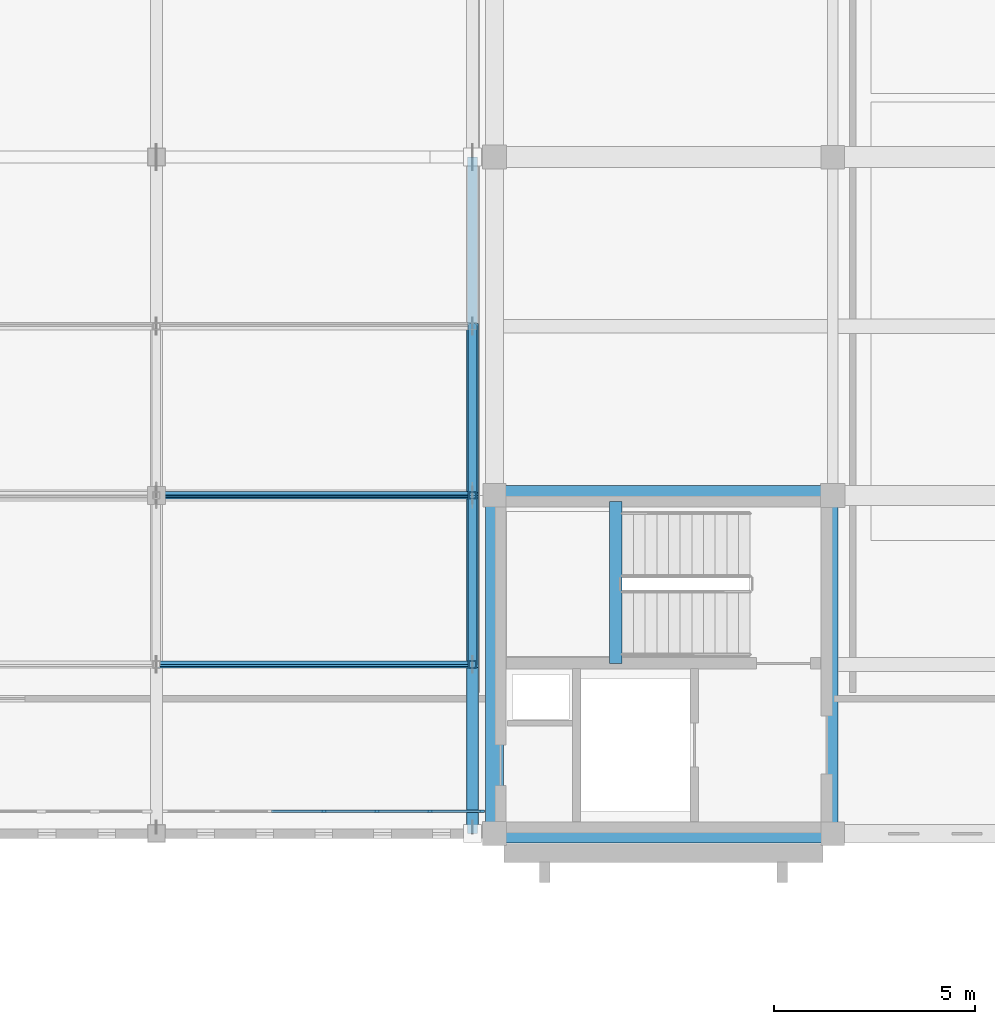
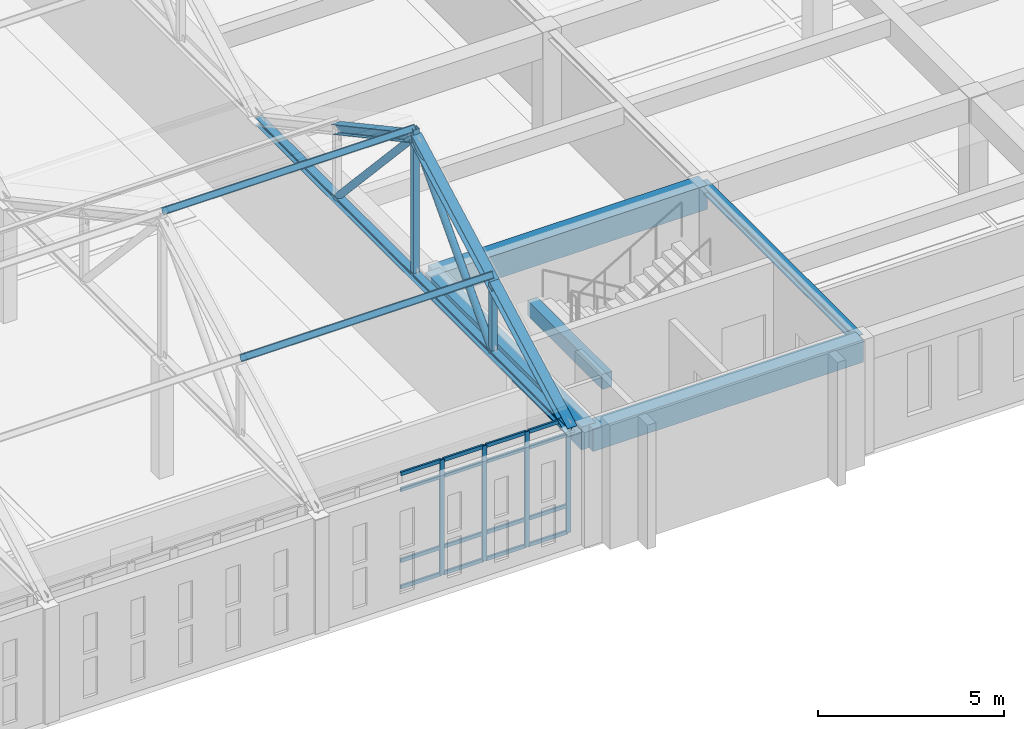
# One storey, part 34 of 110: 30 members, 5 beams, 1 element without a shape of its own.
"""IFC4 building model written with IfcOpenShell, lengths in metres."""

from ifc_helpers import new_model, si_unit, direction, frame, origin, origin_2d, place, context, subcontext, project, spatial, rectangle, hollow_rectangle, hollow_circle, i_section, extrude, material, layer, layer_set, material_profile, profile_set, type_object, element, aggregate, save


model = new_model("IFC4")

# Units and contexts
model_context = context("Model", 3, precision=1e-05, world=origin(), true_north=direction((0.0, 1.0)))
body_context = subcontext(model_context, "Body", "Model", "MODEL_VIEW")
ifc_project = project(units=[si_unit("LENGTHUNIT", "METRE"), si_unit("AREAUNIT", "SQUARE_METRE"), si_unit("VOLUMEUNIT", "CUBIC_METRE"), si_unit("PLANEANGLEUNIT", "RADIAN"), si_unit("MASSUNIT", "GRAM", prefix="KILO")], contexts=[model_context])

# Site, building, storey
site_placement = place(None, origin())
site = spatial("IfcSite", under=ifc_project, at=site_placement, CompositionType="ELEMENT")
building_placement = place(site_placement, origin())
building = spatial("IfcBuilding", under=site, at=building_placement, Name="Kveldsbrygga Polytechnic", CompositionType="ELEMENT")
storey_placement = place(building_placement, frame((0.0, 0.0, 9.860107421875)))
storey = spatial("IfcBuildingStorey", under=building, at=storey_placement, Name="L02", CompositionType="ELEMENT", Elevation=9.860107421875)

# Beams
ifc_material_1 = material(Name="Concrete C35/45", Category="concrete")
ifc_material_profile_1 = material_profile(ifc_material_1, rectangle(XDim=0.449951171875, YDim=0.75, at=origin_2d()), Name="RC 450x750")
ifc_profile_set_1 = profile_set([ifc_material_profile_1], Name="Concrete C35/45")
beam_type_1 = type_object("IfcBeamType", Name="BM-RC-450x750", PredefinedType="BEAM", material=ifc_profile_set_1)
beam_1_placement = place(storey_placement, frame((100.800048828125, 84.0, 3.375), z_axis=(0.0, 1.0, 0.0), x_axis=(-1.0, 0.0, 0.0)))
element("IfcBeam", 1, at=beam_1_placement, inside=storey, type_object=beam_type_1, Name="Primary Beam BMY-L02-12-10to11", PredefinedType="BEAM", context=body_context, shape_type="SweptSolid", body=[
    extrude(rectangle(XDim=0.449951171875, YDim=0.75, at=origin_2d()), origin(), (0.0, 0.0, 1.0), 8.39990234375),
])
ifc_material_profile_2 = material_profile(ifc_material_1, rectangle(XDim=0.4599609375, YDim=0.739990234375, at=origin_2d()), Name="RC 460x740")
ifc_profile_set_2 = profile_set([ifc_material_profile_2], Name="Concrete C35/45")
beam_type_2 = type_object("IfcBeamType", Name="BM-RC-460x740", PredefinedType="BEAM", material=ifc_profile_set_2)
beam_2_placement = place(storey_placement, frame((100.800048828125, 84.0, 3.3798828125), z_axis=(1.0, 0.0, 0.0), x_axis=(0.0, 1.0, 0.0)))
element("IfcBeam", 2, at=beam_2_placement, inside=storey, type_object=beam_type_2, Name="Primary Beam BMX-L02-12to13-10", PredefinedType="BEAM", context=body_context, shape_type="SweptSolid", body=[
    extrude(rectangle(XDim=0.4599609375, YDim=0.739990234375, at=origin_2d()), origin(), (0.0, 0.0, 1.0), 8.39990234375),
])
ifc_material_profile_3 = material_profile(ifc_material_1, rectangle(XDim=0.5, YDim=0.800048828125, at=origin_2d()), Name="RC 500x800")
ifc_profile_set_3 = profile_set([ifc_material_profile_3], Name="Concrete C35/45")
beam_type_3 = type_object("IfcBeamType", Name="BM-RC-500x800", PredefinedType="BEAM", material=ifc_profile_set_3)
beam_3_placement = place(storey_placement, frame((100.800048828125, 92.39990234375, 3.349853515625), z_axis=(1.0, 0.0, 0.0), x_axis=(0.0, 1.0, 0.0)))
element("IfcBeam", 3, at=beam_3_placement, inside=storey, type_object=beam_type_3, Name="Primary Beam BMX-L02-12to13-11", PredefinedType="BEAM", context=body_context, shape_type="SweptSolid", body=[
    extrude(rectangle(XDim=0.5, YDim=0.800048828125, at=origin_2d()), origin(), (0.0, 0.0, 1.0), 8.39990234375),
])
ifc_material_2 = material(Name="Steel S355", Category="steel")
ifc_material_profile_4 = material_profile(ifc_material_2, i_section(OverallWidth=0.260009765625, OverallDepth=0.260009765625, WebThickness=0.010009765625, FlangeThickness=0.017578125, FilletRadius=0.02392578125, at=origin_2d()), Name="HEB 260")
ifc_profile_set_4 = profile_set([ifc_material_profile_4], Name="Steel S355")
beam_type_4 = type_object("IfcBeamType", Name="BM-STL-HEB260", PredefinedType="BEAM", material=ifc_profile_set_4)
beam_4_placement = place(storey_placement, frame((109.199951171875, 84.0, 3.619873046875), z_axis=(0.0, 1.0, 0.0), x_axis=(-1.0, 0.0, 0.0)))
element("IfcBeam", 4, at=beam_4_placement, inside=storey, type_object=beam_type_4, Name="Primary Beam BMY-L02-13-10to11", PredefinedType="BEAM", context=body_context, shape_type="SweptSolid", body=[
    extrude(i_section(OverallWidth=0.260009765625, OverallDepth=0.260009765625, WebThickness=0.010009765625, FlangeThickness=0.017578125, FilletRadius=0.02392578125, at=origin_2d()), origin(), (0.0, 0.0, 1.0), 8.39990234375),
])

# Curtain wall, members
ifc_material_3 = material(Name="Anodised aluminium AW-6060", Category="aluminium")
ifc_layer = layer(ifc_material_3, 0.179931640625)
ifc_layer_set = layer_set([ifc_layer], Name="Anodised aluminium AW-6060")
curtain_wall_type = type_object("IfcCurtainWallType", Name="CW-CONC-A", PredefinedType="USERDEFINED", material=ifc_layer_set)
curtain_wall_placement = place(storey_placement, origin())
curtain_wall = element("IfcCurtainWall", 5, at=curtain_wall_placement, inside=storey, type_object=curtain_wall_type, Name="Curtain Wall CW-L02-X-11-10", ObjectType="UNITISED CURTAIN WALL", PredefinedType="USERDEFINED")
ifc_material_profile_5 = material_profile(ifc_material_3, rectangle(XDim=0.06005859375, YDim=0.139892578125, at=origin_2d()), Name="ALU 60x140")
ifc_profile_set_5 = profile_set([ifc_material_profile_5], Name="Anodised aluminium AW-6060")
member_type_1 = type_object("IfcMemberType", Name="CW-MUL-140", PredefinedType="MULLION", material=ifc_profile_set_5)
member_1_placement = place(storey_placement, frame((96.554931640625, 84.550048828125, 0.0), z_axis=(0.0, 0.0, 1.0), x_axis=(0.0, 1.0, 0.0)))
member_1 = element("IfcMember", 6, at=member_1_placement, type_object=member_type_1, Name="CW-01 mullion 4", PredefinedType="MULLION", context=body_context, shape_type="SweptSolid", body=[
    extrude(rectangle(XDim=0.06005859375, YDim=0.139892578125, at=origin_2d()), origin(), (0.0, 0.0, 1.0), 3.77978515625),
])
member_2_placement = place(storey_placement, frame((97.875, 84.550048828125, 0.0), z_axis=(0.0, 0.0, 1.0), x_axis=(0.0, 1.0, 0.0)))
member_2 = element("IfcMember", 7, at=member_2_placement, type_object=member_type_1, Name="CW-01 mullion 5", PredefinedType="MULLION", context=body_context, shape_type="SweptSolid", body=[
    extrude(rectangle(XDim=0.06005859375, YDim=0.139892578125, at=origin_2d()), origin(), (0.0, 0.0, 1.0), 3.77978515625),
])
member_3_placement = place(storey_placement, frame((99.195068359375, 84.550048828125, 0.0), z_axis=(0.0, 0.0, 1.0), x_axis=(0.0, 1.0, 0.0)))
member_3 = element("IfcMember", 8, at=member_3_placement, type_object=member_type_1, Name="CW-01 mullion 6", PredefinedType="MULLION", context=body_context, shape_type="SweptSolid", body=[
    extrude(rectangle(XDim=0.06005859375, YDim=0.139892578125, at=origin_2d()), origin(), (0.0, 0.0, 1.0), 3.77978515625),
])
member_4_placement = place(storey_placement, frame((100.485107421875, 84.550048828125, 0.0), z_axis=(0.0, 0.0, 1.0), x_axis=(0.0, 1.0, 0.0)))
member_4 = element("IfcMember", 9, at=member_4_placement, type_object=member_type_1, Name="CW-01 mullion 7", PredefinedType="MULLION", context=body_context, shape_type="SweptSolid", body=[
    extrude(rectangle(XDim=0.06005859375, YDim=0.139892578125, at=origin_2d()), origin(), (0.0, 0.0, 1.0), 3.77978515625),
])
ifc_material_profile_6 = material_profile(ifc_material_3, rectangle(XDim=0.06005859375, YDim=0.1201171875, at=origin_2d()), Name="ALU 60x120")
ifc_profile_set_6 = profile_set([ifc_material_profile_6], Name="Anodised aluminium AW-6060")
member_type_2 = type_object("IfcMemberType", Name="CW-TRN-120", PredefinedType="USERDEFINED", material=ifc_profile_set_6)
member_5_placement = place(storey_placement, frame((95.264892578125, 84.550048828125, 0.02978515625), z_axis=(1.0, 0.0, 0.0), x_axis=(0.0, 1.0, 0.0)))
member_5 = element("IfcMember", 10, at=member_5_placement, type_object=member_type_2, Name="CW-01 transom 3.1", ObjectType="TRANSOM", PredefinedType="USERDEFINED", context=body_context, shape_type="SweptSolid", body=[
    extrude(rectangle(XDim=0.06005859375, YDim=0.1201171875, at=origin_2d()), origin(), (0.0, 0.0, 1.0), 1.260009765625),
])
member_6_placement = place(storey_placement, frame((95.264892578125, 84.550048828125, 0.89990234375), z_axis=(1.0, 0.0, 0.0), x_axis=(0.0, 1.0, 0.0)))
member_6 = element("IfcMember", 11, at=member_6_placement, type_object=member_type_2, Name="CW-01 transom 3.2", ObjectType="TRANSOM", PredefinedType="USERDEFINED", context=body_context, shape_type="SweptSolid", body=[
    extrude(rectangle(XDim=0.06005859375, YDim=0.1201171875, at=origin_2d()), origin(), (0.0, 0.0, 1.0), 1.260009765625),
])
member_7_placement = place(storey_placement, frame((95.264892578125, 84.550048828125, 3.22998046875), z_axis=(1.0, 0.0, 0.0), x_axis=(0.0, 1.0, 0.0)))
member_7 = element("IfcMember", 12, at=member_7_placement, type_object=member_type_2, Name="CW-01 transom 3.3", ObjectType="TRANSOM", PredefinedType="USERDEFINED", context=body_context, shape_type="SweptSolid", body=[
    extrude(rectangle(XDim=0.06005859375, YDim=0.1201171875, at=origin_2d()), origin(), (0.0, 0.0, 1.0), 1.260009765625),
])
member_8_placement = place(storey_placement, frame((95.264892578125, 84.550048828125, 3.75), z_axis=(1.0, 0.0, 0.0), x_axis=(0.0, 1.0, 0.0)))
member_8 = element("IfcMember", 13, at=member_8_placement, type_object=member_type_2, Name="CW-01 transom 3.4", ObjectType="TRANSOM", PredefinedType="USERDEFINED", context=body_context, shape_type="SweptSolid", body=[
    extrude(rectangle(XDim=0.06005859375, YDim=0.1201171875, at=origin_2d()), origin(), (0.0, 0.0, 1.0), 1.260009765625),
])
member_9_placement = place(storey_placement, frame((96.5849609375, 84.550048828125, 0.02978515625), z_axis=(1.0, 0.0, 0.0), x_axis=(0.0, 1.0, 0.0)))
member_9 = element("IfcMember", 14, at=member_9_placement, type_object=member_type_2, Name="CW-01 transom 4.1", ObjectType="TRANSOM", PredefinedType="USERDEFINED", context=body_context, shape_type="SweptSolid", body=[
    extrude(rectangle(XDim=0.06005859375, YDim=0.1201171875, at=origin_2d()), origin(), (0.0, 0.0, 1.0), 1.260009765625),
])
member_10_placement = place(storey_placement, frame((96.5849609375, 84.550048828125, 0.89990234375), z_axis=(1.0, 0.0, 0.0), x_axis=(0.0, 1.0, 0.0)))
member_10 = element("IfcMember", 15, at=member_10_placement, type_object=member_type_2, Name="CW-01 transom 4.2", ObjectType="TRANSOM", PredefinedType="USERDEFINED", context=body_context, shape_type="SweptSolid", body=[
    extrude(rectangle(XDim=0.06005859375, YDim=0.1201171875, at=origin_2d()), origin(), (0.0, 0.0, 1.0), 1.260009765625),
])
member_11_placement = place(storey_placement, frame((96.5849609375, 84.550048828125, 3.22998046875), z_axis=(1.0, 0.0, 0.0), x_axis=(0.0, 1.0, 0.0)))
member_11 = element("IfcMember", 16, at=member_11_placement, type_object=member_type_2, Name="CW-01 transom 4.3", ObjectType="TRANSOM", PredefinedType="USERDEFINED", context=body_context, shape_type="SweptSolid", body=[
    extrude(rectangle(XDim=0.06005859375, YDim=0.1201171875, at=origin_2d()), origin(), (0.0, 0.0, 1.0), 1.260009765625),
])
member_12_placement = place(storey_placement, frame((96.5849609375, 84.550048828125, 3.75), z_axis=(1.0, 0.0, 0.0), x_axis=(0.0, 1.0, 0.0)))
member_12 = element("IfcMember", 17, at=member_12_placement, type_object=member_type_2, Name="CW-01 transom 4.4", ObjectType="TRANSOM", PredefinedType="USERDEFINED", context=body_context, shape_type="SweptSolid", body=[
    extrude(rectangle(XDim=0.06005859375, YDim=0.1201171875, at=origin_2d()), origin(), (0.0, 0.0, 1.0), 1.260009765625),
])
member_13_placement = place(storey_placement, frame((97.905029296875, 84.550048828125, 0.02978515625), z_axis=(1.0, 0.0, 0.0), x_axis=(0.0, 1.0, 0.0)))
member_13 = element("IfcMember", 18, at=member_13_placement, type_object=member_type_2, Name="CW-01 transom 5.1", ObjectType="TRANSOM", PredefinedType="USERDEFINED", context=body_context, shape_type="SweptSolid", body=[
    extrude(rectangle(XDim=0.06005859375, YDim=0.1201171875, at=origin_2d()), origin(), (0.0, 0.0, 1.0), 1.260009765625),
])
member_14_placement = place(storey_placement, frame((97.905029296875, 84.550048828125, 0.89990234375), z_axis=(1.0, 0.0, 0.0), x_axis=(0.0, 1.0, 0.0)))
member_14 = element("IfcMember", 19, at=member_14_placement, type_object=member_type_2, Name="CW-01 transom 5.2", ObjectType="TRANSOM", PredefinedType="USERDEFINED", context=body_context, shape_type="SweptSolid", body=[
    extrude(rectangle(XDim=0.06005859375, YDim=0.1201171875, at=origin_2d()), origin(), (0.0, 0.0, 1.0), 1.260009765625),
])
member_15_placement = place(storey_placement, frame((97.905029296875, 84.550048828125, 3.22998046875), z_axis=(1.0, 0.0, 0.0), x_axis=(0.0, 1.0, 0.0)))
member_15 = element("IfcMember", 20, at=member_15_placement, type_object=member_type_2, Name="CW-01 transom 5.3", ObjectType="TRANSOM", PredefinedType="USERDEFINED", context=body_context, shape_type="SweptSolid", body=[
    extrude(rectangle(XDim=0.06005859375, YDim=0.1201171875, at=origin_2d()), origin(), (0.0, 0.0, 1.0), 1.260009765625),
])
member_16_placement = place(storey_placement, frame((97.905029296875, 84.550048828125, 3.75), z_axis=(1.0, 0.0, 0.0), x_axis=(0.0, 1.0, 0.0)))
member_16 = element("IfcMember", 21, at=member_16_placement, type_object=member_type_2, Name="CW-01 transom 5.4", ObjectType="TRANSOM", PredefinedType="USERDEFINED", context=body_context, shape_type="SweptSolid", body=[
    extrude(rectangle(XDim=0.06005859375, YDim=0.1201171875, at=origin_2d()), origin(), (0.0, 0.0, 1.0), 1.260009765625),
])
member_17_placement = place(storey_placement, frame((99.22509765625, 84.550048828125, 0.02978515625), z_axis=(1.0, 0.0, 0.0), x_axis=(0.0, 1.0, 0.0)))
member_17 = element("IfcMember", 22, at=member_17_placement, type_object=member_type_2, Name="CW-01 transom 6.1", ObjectType="TRANSOM", PredefinedType="USERDEFINED", context=body_context, shape_type="SweptSolid", body=[
    extrude(rectangle(XDim=0.06005859375, YDim=0.1201171875, at=origin_2d()), origin(), (0.0, 0.0, 1.0), 1.22998046875),
])
member_18_placement = place(storey_placement, frame((99.22509765625, 84.550048828125, 0.89990234375), z_axis=(1.0, 0.0, 0.0), x_axis=(0.0, 1.0, 0.0)))
member_18 = element("IfcMember", 23, at=member_18_placement, type_object=member_type_2, Name="CW-01 transom 6.2", ObjectType="TRANSOM", PredefinedType="USERDEFINED", context=body_context, shape_type="SweptSolid", body=[
    extrude(rectangle(XDim=0.06005859375, YDim=0.1201171875, at=origin_2d()), origin(), (0.0, 0.0, 1.0), 1.22998046875),
])
member_19_placement = place(storey_placement, frame((99.22509765625, 84.550048828125, 3.22998046875), z_axis=(1.0, 0.0, 0.0), x_axis=(0.0, 1.0, 0.0)))
member_19 = element("IfcMember", 24, at=member_19_placement, type_object=member_type_2, Name="CW-01 transom 6.3", ObjectType="TRANSOM", PredefinedType="USERDEFINED", context=body_context, shape_type="SweptSolid", body=[
    extrude(rectangle(XDim=0.06005859375, YDim=0.1201171875, at=origin_2d()), origin(), (0.0, 0.0, 1.0), 1.22998046875),
])
member_20_placement = place(storey_placement, frame((99.22509765625, 84.550048828125, 3.75), z_axis=(1.0, 0.0, 0.0), x_axis=(0.0, 1.0, 0.0)))
member_20 = element("IfcMember", 25, at=member_20_placement, type_object=member_type_2, Name="CW-01 transom 6.4", ObjectType="TRANSOM", PredefinedType="USERDEFINED", context=body_context, shape_type="SweptSolid", body=[
    extrude(rectangle(XDim=0.06005859375, YDim=0.1201171875, at=origin_2d()), origin(), (0.0, 0.0, 1.0), 1.22998046875),
])
aggregate(curtain_wall, [member_1, member_2, member_3, member_4, member_5, member_6, member_7, member_8, member_9, member_10, member_11, member_12, member_13, member_14, member_15, member_16, member_17, member_18, member_19, member_20])

# Beam
ifc_material_profile_7 = material_profile(ifc_material_1, rectangle(XDim=0.300048828125, YDim=0.5, at=origin_2d()), Name="RC 300x500")
ifc_profile_set_7 = profile_set([ifc_material_profile_7], Name="Concrete C35/45")
beam_type_5 = type_object("IfcBeamType", Name="LNT-RC-300x500", PredefinedType="LINTEL", material=ifc_profile_set_7)
beam_5_placement = place(storey_placement, frame((103.81005859375, 88.22998046875, 1.58984375), z_axis=(0.0, 1.0, 0.0), x_axis=(-1.0, 0.0, 0.0)))
element("IfcBeam", 26, at=beam_5_placement, inside=storey, type_object=beam_type_5, Name="Stair Landing Support Beam C5-L02-LNDB-1-1", PredefinedType="LINTEL", context=body_context, shape_type="SweptSolid", body=[
    extrude(rectangle(XDim=0.300048828125, YDim=0.5, at=origin_2d()), origin(), (0.0, 0.0, 1.0), 4.02001953125),
])

# Members
ifc_material_profile_8 = material_profile(ifc_material_2, i_section(OverallWidth=0.10009765625, OverallDepth=0.199951171875, WebThickness=0.005615234375, FlangeThickness=0.008544921875, FilletRadius=0.011962890625, at=origin_2d()), Name="IPE 200")
ifc_profile_set_8 = profile_set([ifc_material_profile_8], Name="Steel S355")
member_type_3 = type_object("IfcMemberType", Name="PRL-IPE200", PredefinedType="PURLIN", material=ifc_profile_set_8)
for number, where, z_axis, x_axis, name in (
    (27, (92.39990234375, 88.199951171875, 6.33349609375), (1.0, 0.0, 0.0), (0.0, 0.879292204483, -0.476282709256), "Roof Purlin V2L1-PRL-7-1"),
    (28, (92.39990234375, 92.39990234375, 8.608642578125), (1.0, 0.0, 0.0), (0.0, 0.879292204483, -0.476282709256), "Roof Purlin V2L1-PRL-7-2"),
):
    element("IfcMember", number, at=place(storey_placement, frame(where, z_axis=z_axis, x_axis=x_axis)), inside=storey, type_object=member_type_3, Name=name, PredefinedType="PURLIN", context=body_context, shape_type="SweptSolid", body=[
        extrude(i_section(OverallWidth=0.10009765625, OverallDepth=0.199951171875, WebThickness=0.005615234375, FlangeThickness=0.008544921875, FilletRadius=0.011962890625, at=origin_2d()), origin(), (0.0, 0.0, 1.0), 7.85009765625),
    ])
ifc_material_profile_9 = material_profile(ifc_material_2, i_section(OverallWidth=0.239990234375, OverallDepth=0.22998046875, WebThickness=0.007568359375, FlangeThickness=0.011962890625, FilletRadius=0.02099609375, at=origin_2d()), Name="HEA 240")
ifc_profile_set_9 = profile_set([ifc_material_profile_9], Name="Steel S355")
member_type_4 = type_object("IfcMemberType", Name="TR-BOT-HEA240", PredefinedType="CHORD", material=ifc_profile_set_9)
member_21_placement = place(storey_placement, frame((100.25, 84.0, 3.77978515625), z_axis=(0.0, 1.0, 0.0), x_axis=(-1.0, 0.0, 0.0)))
element("IfcMember", 29, at=member_21_placement, inside=storey, type_object=member_type_4, Name="Truss Bottom Chord V2L1-T08-BC-1", PredefinedType="CHORD", context=body_context, shape_type="SweptSolid", body=[
    extrude(i_section(OverallWidth=0.239990234375, OverallDepth=0.22998046875, WebThickness=0.007568359375, FlangeThickness=0.011962890625, FilletRadius=0.02099609375, at=origin_2d()), origin(), (0.0, 0.0, 1.0), 16.800048828125),
])
ifc_material_profile_10 = material_profile(ifc_material_2, hollow_circle(Radius=0.109619140625, WallThickness=0.012451171875, at=origin_2d()), Name="CHS 219.1x12.5")
ifc_profile_set_10 = profile_set([ifc_material_profile_10], Name="Steel S355")
member_type_5 = type_object("IfcMemberType", Name="TR-DIAG-CHS219", PredefinedType="BRACE", material=ifc_profile_set_10)
member_22_placement = place(storey_placement, frame((100.25, 88.199951171875, 3.77978515625), z_axis=(0.0, 0.678271914864, 0.734811002576), x_axis=(-1.0, 0.0, 0.0)))
element("IfcMember", 30, at=member_22_placement, inside=storey, type_object=member_type_5, Name="Truss Diagonal V2L1-T08-DG-2", PredefinedType="BRACE", context=body_context, shape_type="SweptSolid", body=[
    extrude(hollow_circle(Radius=0.109619140625, WallThickness=0.012451171875, at=origin_2d()), origin(), (0.0, 0.0, 1.0), 6.192138671875),
])
member_23_placement = place(storey_placement, frame((100.25, 92.39990234375, 8.329833984375), z_axis=(0.0, 0.678293202798, -0.734791352043), x_axis=(-1.0, 0.0, 0.0)))
element("IfcMember", 31, at=member_23_placement, inside=storey, type_object=member_type_5, Name="Truss Diagonal V2L1-T08-DG-3", PredefinedType="BRACE", context=body_context, shape_type="SweptSolid", body=[
    extrude(hollow_circle(Radius=0.109619140625, WallThickness=0.012451171875, at=origin_2d()), origin(), (0.0, 0.0, 1.0), 6.1923828125),
])
ifc_material_profile_11 = material_profile(ifc_material_2, hollow_rectangle(XDim=0.179931640625, YDim=0.179931640625, WallThickness=0.010009765625, at=origin_2d()), Name="SHS 180x180x10.0")
ifc_profile_set_11 = profile_set([ifc_material_profile_11], Name="Steel S355")
member_type_6 = type_object("IfcMemberType", Name="TR-POST-SHS180", PredefinedType="STRUT", material=ifc_profile_set_11)
member_24_placement = place(storey_placement, frame((100.25, 88.199951171875, 3.77978515625), z_axis=(0.0, 0.0, 1.0), x_axis=(1.0, 0.0, 0.0)))
element("IfcMember", 32, at=member_24_placement, inside=storey, type_object=member_type_6, Name="Truss Vertical V2L1-T08-VT-1", PredefinedType="STRUT", context=body_context, shape_type="SweptSolid", body=[
    extrude(hollow_rectangle(XDim=0.179931640625, YDim=0.179931640625, WallThickness=0.010009765625, at=origin_2d()), origin(), (0.0, 0.0, 1.0), 2.275146484375),
])
member_25_placement = place(storey_placement, frame((100.25, 92.39990234375, 3.77978515625), z_axis=(0.0, 0.0, 1.0), x_axis=(1.0, 0.0, 0.0)))
element("IfcMember", 33, at=member_25_placement, inside=storey, type_object=member_type_6, Name="Truss Vertical V2L1-T08-VT-2", PredefinedType="STRUT", context=body_context, shape_type="SweptSolid", body=[
    extrude(hollow_rectangle(XDim=0.179931640625, YDim=0.179931640625, WallThickness=0.010009765625, at=origin_2d()), origin(), (0.0, 0.0, 1.0), 4.828857421875),
])
ifc_material_profile_12 = material_profile(ifc_material_2, i_section(OverallWidth=0.300048828125, OverallDepth=0.2900390625, WebThickness=0.008544921875, FlangeThickness=0.013916015625, FilletRadius=0.027099609375, at=origin_2d()), Name="HEA 300")
ifc_profile_set_12 = profile_set([ifc_material_profile_12], Name="Steel S355")
member_type_7 = type_object("IfcMemberType", Name="TR-TOP-HEA300", PredefinedType="CHORD", material=ifc_profile_set_12)
member_26_placement = place(storey_placement, frame((100.25, 84.0, 3.77978515625), z_axis=(0.0, 0.879276804059, 0.476311139744), x_axis=(-1.0, 0.0, 0.0)))
element("IfcMember", 34, at=member_26_placement, inside=storey, type_object=member_type_7, Name="Truss Top Chord V2L1-T08-TC-1", PredefinedType="CHORD", context=body_context, shape_type="SweptSolid", body=[
    extrude(i_section(OverallWidth=0.300048828125, OverallDepth=0.2900390625, WebThickness=0.008544921875, FlangeThickness=0.013916015625, FilletRadius=0.027099609375, at=origin_2d()), origin(), (0.0, 0.0, 1.0), 4.776611328125),
])
member_27_placement = place(storey_placement, frame((100.25, 88.199951171875, 6.054931640625), z_axis=(0.0, 0.879298209803, 0.47627162233), x_axis=(-1.0, 0.0, 0.0)))
element("IfcMember", 35, at=member_27_placement, inside=storey, type_object=member_type_7, Name="Truss Top Chord V2L1-T08-TC-2", PredefinedType="CHORD", context=body_context, shape_type="SweptSolid", body=[
    extrude(i_section(OverallWidth=0.300048828125, OverallDepth=0.2900390625, WebThickness=0.008544921875, FlangeThickness=0.013916015625, FilletRadius=0.027099609375, at=origin_2d()), origin(), (0.0, 0.0, 1.0), 4.7763671875),
])
member_28_placement = place(storey_placement, frame((100.25, 92.39990234375, 8.329833984375), z_axis=(0.0, 0.879309803238, -0.476250217773), x_axis=(-1.0, 0.0, 0.0)))
element("IfcMember", 36, at=member_28_placement, inside=storey, type_object=member_type_7, Name="Truss Top Chord V2L1-T08-TC-3", PredefinedType="CHORD", context=body_context, shape_type="SweptSolid", body=[
    extrude(i_section(OverallWidth=0.300048828125, OverallDepth=0.2900390625, WebThickness=0.008544921875, FlangeThickness=0.013916015625, FilletRadius=0.027099609375, at=origin_2d()), origin(), (0.0, 0.0, 1.0), 4.776611328125),
])

save(model, "model.ifc")
